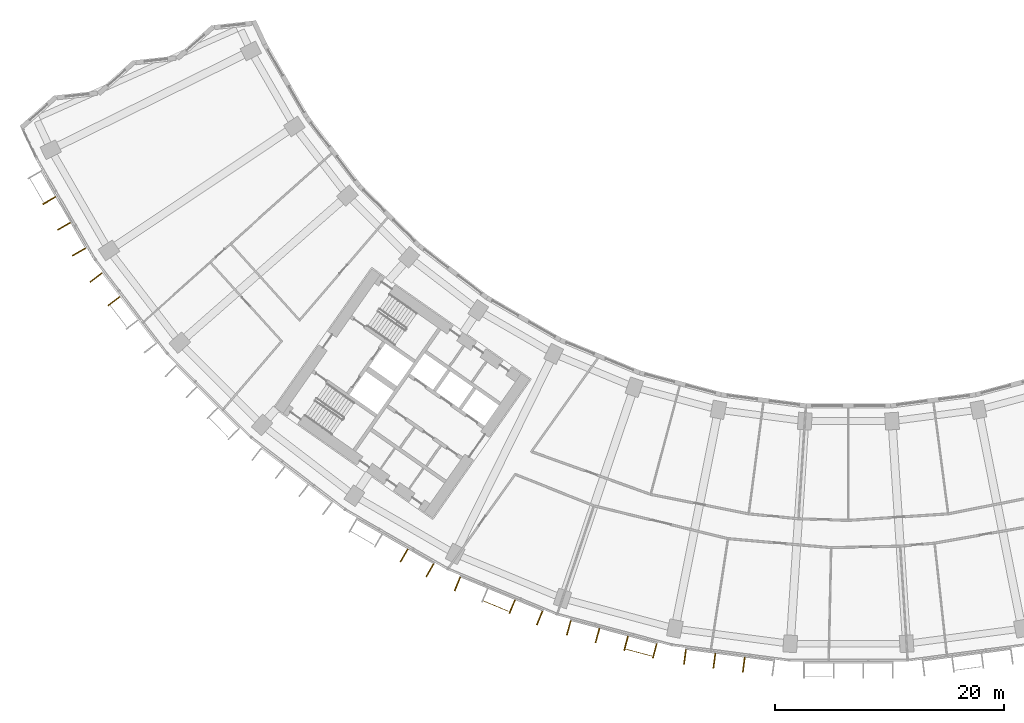
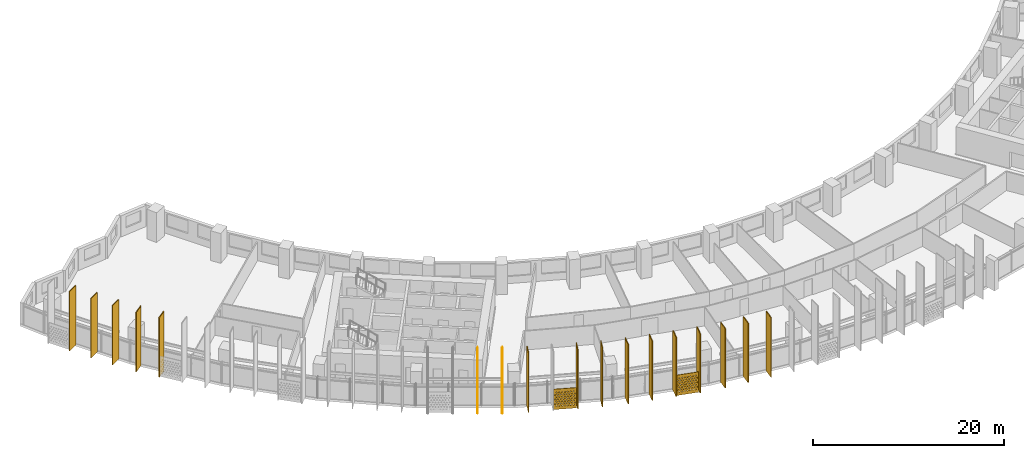
# One storey, part 26 of 30: 19 shading devices.
"""IFC4 building model written with IfcOpenShell, lengths in metres."""

from ifc_helpers import new_model, si_unit, direction, frame, origin, origin_2d, place, context, subcontext, project, spatial, polyline, rectangle, outline, extrude, material, material_profile, profile_set, type_object, element, save


model = new_model("IFC4")

# Units and contexts
model_context = context("Model", 3, precision=1e-05, world=origin(), true_north=direction((0.0, 1.0)))
body_context = subcontext(model_context, "Body", "Model", "MODEL_VIEW")
ifc_project = project(units=[si_unit("LENGTHUNIT", "METRE"), si_unit("AREAUNIT", "SQUARE_METRE"), si_unit("VOLUMEUNIT", "CUBIC_METRE"), si_unit("PLANEANGLEUNIT", "RADIAN"), si_unit("MASSUNIT", "GRAM", prefix="KILO")], contexts=[model_context])

# Site, building, storey
site_placement = place(None, origin())
site = spatial("IfcSite", under=ifc_project, at=site_placement, CompositionType="ELEMENT")
building_placement = place(site_placement, origin())
building = spatial("IfcBuilding", under=site, at=building_placement, Name="Qamariyya Broadcast Tower", CompositionType="ELEMENT")
storey_placement = place(building_placement, frame((0.0, 0.0, 125.300048828125)))
storey = spatial("IfcBuildingStorey", under=building, at=storey_placement, Name="L28", CompositionType="ELEMENT", Elevation=125.300048828125)

# Shading devices
ifc_material_1 = material(Name="Perforated glazed terracotta", Category="masonry")
ifc_material_profile_1 = material_profile(ifc_material_1, outline(polyline([(-1.199951171875, -1.300048828125), (1.199951171875, -1.300048828125), (1.199951171875, 1.300048828125), (-1.199951171875, 1.300048828125), (-1.199951171875, -1.300048828125)]), holes=[polyline([(-0.81494140625, -0.86669921875), (-0.89990234375, -0.78173828125), (-0.985107421875, -0.86669921875), (-0.89990234375, -0.95166015625), (-0.81494140625, -0.86669921875)]), polyline([(-0.514892578125, -0.86669921875), (-0.60009765625, -0.78173828125), (-0.68505859375, -0.86669921875), (-0.60009765625, -0.95166015625), (-0.514892578125, -0.86669921875)]), polyline([(-0.215087890625, -0.86669921875), (-0.300048828125, -0.78173828125), (-0.385009765625, -0.86669921875), (-0.300048828125, -0.95166015625), (-0.215087890625, -0.86669921875)]), polyline([(0.0849609375, -0.86669921875), (0.0, -0.78173828125), (-0.0849609375, -0.86669921875), (0.0, -0.95166015625), (0.0849609375, -0.86669921875)]), polyline([(0.385009765625, -0.86669921875), (0.300048828125, -0.78173828125), (0.215087890625, -0.86669921875), (0.300048828125, -0.95166015625), (0.385009765625, -0.86669921875)]), polyline([(0.68505859375, -0.86669921875), (0.60009765625, -0.78173828125), (0.514892578125, -0.86669921875), (0.60009765625, -0.95166015625), (0.68505859375, -0.86669921875)]), polyline([(0.985107421875, -0.86669921875), (0.89990234375, -0.78173828125), (0.81494140625, -0.86669921875), (0.89990234375, -0.95166015625), (0.985107421875, -0.86669921875)]), polyline([(-0.965087890625, -0.577880859375), (-1.050048828125, -0.49267578125), (-1.135009765625, -0.577880859375), (-1.050048828125, -0.662841796875), (-0.965087890625, -0.577880859375)]), polyline([(-0.6650390625, -0.577880859375), (-0.75, -0.49267578125), (-0.8349609375, -0.577880859375), (-0.75, -0.662841796875), (-0.6650390625, -0.577880859375)]), polyline([(-0.364990234375, -0.577880859375), (-0.449951171875, -0.49267578125), (-0.534912109375, -0.577880859375), (-0.449951171875, -0.662841796875), (-0.364990234375, -0.577880859375)]), polyline([(-0.06494140625, -0.577880859375), (-0.14990234375, -0.49267578125), (-0.235107421875, -0.577880859375), (-0.14990234375, -0.662841796875), (-0.06494140625, -0.577880859375)]), polyline([(0.235107421875, -0.577880859375), (0.14990234375, -0.49267578125), (0.06494140625, -0.577880859375), (0.14990234375, -0.662841796875), (0.235107421875, -0.577880859375)]), polyline([(0.534912109375, -0.577880859375), (0.449951171875, -0.49267578125), (0.364990234375, -0.577880859375), (0.449951171875, -0.662841796875), (0.534912109375, -0.577880859375)]), polyline([(0.8349609375, -0.577880859375), (0.75, -0.49267578125), (0.6650390625, -0.577880859375), (0.75, -0.662841796875), (0.8349609375, -0.577880859375)]), polyline([(1.135009765625, -0.577880859375), (1.050048828125, -0.49267578125), (0.965087890625, -0.577880859375), (1.050048828125, -0.662841796875), (1.135009765625, -0.577880859375)]), polyline([(-0.81494140625, -0.288818359375), (-0.89990234375, -0.203857421875), (-0.985107421875, -0.288818359375), (-0.89990234375, -0.373779296875), (-0.81494140625, -0.288818359375)]), polyline([(-0.514892578125, -0.288818359375), (-0.60009765625, -0.203857421875), (-0.68505859375, -0.288818359375), (-0.60009765625, -0.373779296875), (-0.514892578125, -0.288818359375)]), polyline([(-0.215087890625, -0.288818359375), (-0.300048828125, -0.203857421875), (-0.385009765625, -0.288818359375), (-0.300048828125, -0.373779296875), (-0.215087890625, -0.288818359375)]), polyline([(0.0849609375, -0.288818359375), (0.0, -0.203857421875), (-0.0849609375, -0.288818359375), (0.0, -0.373779296875), (0.0849609375, -0.288818359375)]), polyline([(0.385009765625, -0.288818359375), (0.300048828125, -0.203857421875), (0.215087890625, -0.288818359375), (0.300048828125, -0.373779296875), (0.385009765625, -0.288818359375)]), polyline([(0.68505859375, -0.288818359375), (0.60009765625, -0.203857421875), (0.514892578125, -0.288818359375), (0.60009765625, -0.373779296875), (0.68505859375, -0.288818359375)]), polyline([(0.985107421875, -0.288818359375), (0.89990234375, -0.203857421875), (0.81494140625, -0.288818359375), (0.89990234375, -0.373779296875), (0.985107421875, -0.288818359375)]), polyline([(-0.965087890625, 0.0), (-1.050048828125, 0.0849609375), (-1.135009765625, 0.0), (-1.050048828125, -0.0849609375), (-0.965087890625, 0.0)]), polyline([(-0.6650390625, 0.0), (-0.75, 0.0849609375), (-0.8349609375, 0.0), (-0.75, -0.0849609375), (-0.6650390625, 0.0)]), polyline([(-0.364990234375, 0.0), (-0.449951171875, 0.0849609375), (-0.534912109375, 0.0), (-0.449951171875, -0.0849609375), (-0.364990234375, 0.0)]), polyline([(-0.06494140625, 0.0), (-0.14990234375, 0.0849609375), (-0.235107421875, 0.0), (-0.14990234375, -0.0849609375), (-0.06494140625, 0.0)]), polyline([(0.235107421875, 0.0), (0.14990234375, 0.0849609375), (0.06494140625, 0.0), (0.14990234375, -0.0849609375), (0.235107421875, 0.0)]), polyline([(0.534912109375, 0.0), (0.449951171875, 0.0849609375), (0.364990234375, 0.0), (0.449951171875, -0.0849609375), (0.534912109375, 0.0)]), polyline([(0.8349609375, 0.0), (0.75, 0.0849609375), (0.6650390625, 0.0), (0.75, -0.0849609375), (0.8349609375, 0.0)]), polyline([(1.135009765625, 0.0), (1.050048828125, 0.0849609375), (0.965087890625, 0.0), (1.050048828125, -0.0849609375), (1.135009765625, 0.0)]), polyline([(-0.81494140625, 0.288818359375), (-0.89990234375, 0.373779296875), (-0.985107421875, 0.288818359375), (-0.89990234375, 0.203857421875), (-0.81494140625, 0.288818359375)]), polyline([(-0.514892578125, 0.288818359375), (-0.60009765625, 0.373779296875), (-0.68505859375, 0.288818359375), (-0.60009765625, 0.203857421875), (-0.514892578125, 0.288818359375)]), polyline([(-0.215087890625, 0.288818359375), (-0.300048828125, 0.373779296875), (-0.385009765625, 0.288818359375), (-0.300048828125, 0.203857421875), (-0.215087890625, 0.288818359375)]), polyline([(0.0849609375, 0.288818359375), (0.0, 0.373779296875), (-0.0849609375, 0.288818359375), (0.0, 0.203857421875), (0.0849609375, 0.288818359375)]), polyline([(0.385009765625, 0.288818359375), (0.300048828125, 0.373779296875), (0.215087890625, 0.288818359375), (0.300048828125, 0.203857421875), (0.385009765625, 0.288818359375)]), polyline([(0.68505859375, 0.288818359375), (0.60009765625, 0.373779296875), (0.514892578125, 0.288818359375), (0.60009765625, 0.203857421875), (0.68505859375, 0.288818359375)]), polyline([(0.985107421875, 0.288818359375), (0.89990234375, 0.373779296875), (0.81494140625, 0.288818359375), (0.89990234375, 0.203857421875), (0.985107421875, 0.288818359375)]), polyline([(-0.965087890625, 0.577880859375), (-1.050048828125, 0.662841796875), (-1.135009765625, 0.577880859375), (-1.050048828125, 0.49267578125), (-0.965087890625, 0.577880859375)]), polyline([(-0.6650390625, 0.577880859375), (-0.75, 0.662841796875), (-0.8349609375, 0.577880859375), (-0.75, 0.49267578125), (-0.6650390625, 0.577880859375)]), polyline([(-0.364990234375, 0.577880859375), (-0.449951171875, 0.662841796875), (-0.534912109375, 0.577880859375), (-0.449951171875, 0.49267578125), (-0.364990234375, 0.577880859375)]), polyline([(-0.06494140625, 0.577880859375), (-0.14990234375, 0.662841796875), (-0.235107421875, 0.577880859375), (-0.14990234375, 0.49267578125), (-0.06494140625, 0.577880859375)]), polyline([(0.235107421875, 0.577880859375), (0.14990234375, 0.662841796875), (0.06494140625, 0.577880859375), (0.14990234375, 0.49267578125), (0.235107421875, 0.577880859375)]), polyline([(0.534912109375, 0.577880859375), (0.449951171875, 0.662841796875), (0.364990234375, 0.577880859375), (0.449951171875, 0.49267578125), (0.534912109375, 0.577880859375)]), polyline([(0.8349609375, 0.577880859375), (0.75, 0.662841796875), (0.6650390625, 0.577880859375), (0.75, 0.49267578125), (0.8349609375, 0.577880859375)]), polyline([(1.135009765625, 0.577880859375), (1.050048828125, 0.662841796875), (0.965087890625, 0.577880859375), (1.050048828125, 0.49267578125), (1.135009765625, 0.577880859375)]), polyline([(-0.81494140625, 0.86669921875), (-0.89990234375, 0.95166015625), (-0.985107421875, 0.86669921875), (-0.89990234375, 0.78173828125), (-0.81494140625, 0.86669921875)]), polyline([(-0.514892578125, 0.86669921875), (-0.60009765625, 0.95166015625), (-0.68505859375, 0.86669921875), (-0.60009765625, 0.78173828125), (-0.514892578125, 0.86669921875)]), polyline([(-0.215087890625, 0.86669921875), (-0.300048828125, 0.95166015625), (-0.385009765625, 0.86669921875), (-0.300048828125, 0.78173828125), (-0.215087890625, 0.86669921875)]), polyline([(0.0849609375, 0.86669921875), (0.0, 0.95166015625), (-0.0849609375, 0.86669921875), (0.0, 0.78173828125), (0.0849609375, 0.86669921875)]), polyline([(0.385009765625, 0.86669921875), (0.300048828125, 0.95166015625), (0.215087890625, 0.86669921875), (0.300048828125, 0.78173828125), (0.385009765625, 0.86669921875)]), polyline([(0.68505859375, 0.86669921875), (0.60009765625, 0.95166015625), (0.514892578125, 0.86669921875), (0.60009765625, 0.78173828125), (0.68505859375, 0.86669921875)]), polyline([(0.985107421875, 0.86669921875), (0.89990234375, 0.95166015625), (0.81494140625, 0.86669921875), (0.89990234375, 0.78173828125), (0.985107421875, 0.86669921875)])]))
ifc_profile_set_1 = profile_set([ifc_material_profile_1], Name="Perforated glazed terracotta")
shading_device_type_1 = type_object("IfcShadingDeviceType", Name="Perforated terracotta screen 2400 x 2600", PredefinedType="USERDEFINED", material=ifc_profile_set_1)
shading_device_1_placement = place(storey_placement, frame((-30.810791015625, -74.26220703125, 1.349853515625), z_axis=(-0.382591441855, -0.923917630863, 0.0), x_axis=(0.923917630863, -0.382591441855, 0.0)))
element("IfcShadingDevice", 1, at=shading_device_1_placement, inside=storey, type_object=shading_device_type_1, Name="e-scr-L28-06-1", ObjectType="SCREEN", PredefinedType="USERDEFINED", context=body_context, shape_type="SweptSolid", body=[
    extrude(outline(polyline([(-1.199951171875, -1.300048828125), (1.199951171875, -1.300048828125), (1.199951171875, 1.300048828125), (-1.199951171875, 1.300048828125), (-1.199951171875, -1.300048828125)]), holes=[polyline([(-0.81494140625, -0.86669921875), (-0.89990234375, -0.78173828125), (-0.985107421875, -0.86669921875), (-0.89990234375, -0.95166015625), (-0.81494140625, -0.86669921875)]), polyline([(-0.514892578125, -0.86669921875), (-0.60009765625, -0.78173828125), (-0.68505859375, -0.86669921875), (-0.60009765625, -0.95166015625), (-0.514892578125, -0.86669921875)]), polyline([(-0.215087890625, -0.86669921875), (-0.300048828125, -0.78173828125), (-0.385009765625, -0.86669921875), (-0.300048828125, -0.95166015625), (-0.215087890625, -0.86669921875)]), polyline([(0.0849609375, -0.86669921875), (0.0, -0.78173828125), (-0.0849609375, -0.86669921875), (0.0, -0.95166015625), (0.0849609375, -0.86669921875)]), polyline([(0.385009765625, -0.86669921875), (0.300048828125, -0.78173828125), (0.215087890625, -0.86669921875), (0.300048828125, -0.95166015625), (0.385009765625, -0.86669921875)]), polyline([(0.68505859375, -0.86669921875), (0.60009765625, -0.78173828125), (0.514892578125, -0.86669921875), (0.60009765625, -0.95166015625), (0.68505859375, -0.86669921875)]), polyline([(0.985107421875, -0.86669921875), (0.89990234375, -0.78173828125), (0.81494140625, -0.86669921875), (0.89990234375, -0.95166015625), (0.985107421875, -0.86669921875)]), polyline([(-0.965087890625, -0.577880859375), (-1.050048828125, -0.49267578125), (-1.135009765625, -0.577880859375), (-1.050048828125, -0.662841796875), (-0.965087890625, -0.577880859375)]), polyline([(-0.6650390625, -0.577880859375), (-0.75, -0.49267578125), (-0.8349609375, -0.577880859375), (-0.75, -0.662841796875), (-0.6650390625, -0.577880859375)]), polyline([(-0.364990234375, -0.577880859375), (-0.449951171875, -0.49267578125), (-0.534912109375, -0.577880859375), (-0.449951171875, -0.662841796875), (-0.364990234375, -0.577880859375)]), polyline([(-0.06494140625, -0.577880859375), (-0.14990234375, -0.49267578125), (-0.235107421875, -0.577880859375), (-0.14990234375, -0.662841796875), (-0.06494140625, -0.577880859375)]), polyline([(0.235107421875, -0.577880859375), (0.14990234375, -0.49267578125), (0.06494140625, -0.577880859375), (0.14990234375, -0.662841796875), (0.235107421875, -0.577880859375)]), polyline([(0.534912109375, -0.577880859375), (0.449951171875, -0.49267578125), (0.364990234375, -0.577880859375), (0.449951171875, -0.662841796875), (0.534912109375, -0.577880859375)]), polyline([(0.8349609375, -0.577880859375), (0.75, -0.49267578125), (0.6650390625, -0.577880859375), (0.75, -0.662841796875), (0.8349609375, -0.577880859375)]), polyline([(1.135009765625, -0.577880859375), (1.050048828125, -0.49267578125), (0.965087890625, -0.577880859375), (1.050048828125, -0.662841796875), (1.135009765625, -0.577880859375)]), polyline([(-0.81494140625, -0.288818359375), (-0.89990234375, -0.203857421875), (-0.985107421875, -0.288818359375), (-0.89990234375, -0.373779296875), (-0.81494140625, -0.288818359375)]), polyline([(-0.514892578125, -0.288818359375), (-0.60009765625, -0.203857421875), (-0.68505859375, -0.288818359375), (-0.60009765625, -0.373779296875), (-0.514892578125, -0.288818359375)]), polyline([(-0.215087890625, -0.288818359375), (-0.300048828125, -0.203857421875), (-0.385009765625, -0.288818359375), (-0.300048828125, -0.373779296875), (-0.215087890625, -0.288818359375)]), polyline([(0.0849609375, -0.288818359375), (0.0, -0.203857421875), (-0.0849609375, -0.288818359375), (0.0, -0.373779296875), (0.0849609375, -0.288818359375)]), polyline([(0.385009765625, -0.288818359375), (0.300048828125, -0.203857421875), (0.215087890625, -0.288818359375), (0.300048828125, -0.373779296875), (0.385009765625, -0.288818359375)]), polyline([(0.68505859375, -0.288818359375), (0.60009765625, -0.203857421875), (0.514892578125, -0.288818359375), (0.60009765625, -0.373779296875), (0.68505859375, -0.288818359375)]), polyline([(0.985107421875, -0.288818359375), (0.89990234375, -0.203857421875), (0.81494140625, -0.288818359375), (0.89990234375, -0.373779296875), (0.985107421875, -0.288818359375)]), polyline([(-0.965087890625, 0.0), (-1.050048828125, 0.0849609375), (-1.135009765625, 0.0), (-1.050048828125, -0.0849609375), (-0.965087890625, 0.0)]), polyline([(-0.6650390625, 0.0), (-0.75, 0.0849609375), (-0.8349609375, 0.0), (-0.75, -0.0849609375), (-0.6650390625, 0.0)]), polyline([(-0.364990234375, 0.0), (-0.449951171875, 0.0849609375), (-0.534912109375, 0.0), (-0.449951171875, -0.0849609375), (-0.364990234375, 0.0)]), polyline([(-0.06494140625, 0.0), (-0.14990234375, 0.0849609375), (-0.235107421875, 0.0), (-0.14990234375, -0.0849609375), (-0.06494140625, 0.0)]), polyline([(0.235107421875, 0.0), (0.14990234375, 0.0849609375), (0.06494140625, 0.0), (0.14990234375, -0.0849609375), (0.235107421875, 0.0)]), polyline([(0.534912109375, 0.0), (0.449951171875, 0.0849609375), (0.364990234375, 0.0), (0.449951171875, -0.0849609375), (0.534912109375, 0.0)]), polyline([(0.8349609375, 0.0), (0.75, 0.0849609375), (0.6650390625, 0.0), (0.75, -0.0849609375), (0.8349609375, 0.0)]), polyline([(1.135009765625, 0.0), (1.050048828125, 0.0849609375), (0.965087890625, 0.0), (1.050048828125, -0.0849609375), (1.135009765625, 0.0)]), polyline([(-0.81494140625, 0.288818359375), (-0.89990234375, 0.373779296875), (-0.985107421875, 0.288818359375), (-0.89990234375, 0.203857421875), (-0.81494140625, 0.288818359375)]), polyline([(-0.514892578125, 0.288818359375), (-0.60009765625, 0.373779296875), (-0.68505859375, 0.288818359375), (-0.60009765625, 0.203857421875), (-0.514892578125, 0.288818359375)]), polyline([(-0.215087890625, 0.288818359375), (-0.300048828125, 0.373779296875), (-0.385009765625, 0.288818359375), (-0.300048828125, 0.203857421875), (-0.215087890625, 0.288818359375)]), polyline([(0.0849609375, 0.288818359375), (0.0, 0.373779296875), (-0.0849609375, 0.288818359375), (0.0, 0.203857421875), (0.0849609375, 0.288818359375)]), polyline([(0.385009765625, 0.288818359375), (0.300048828125, 0.373779296875), (0.215087890625, 0.288818359375), (0.300048828125, 0.203857421875), (0.385009765625, 0.288818359375)]), polyline([(0.68505859375, 0.288818359375), (0.60009765625, 0.373779296875), (0.514892578125, 0.288818359375), (0.60009765625, 0.203857421875), (0.68505859375, 0.288818359375)]), polyline([(0.985107421875, 0.288818359375), (0.89990234375, 0.373779296875), (0.81494140625, 0.288818359375), (0.89990234375, 0.203857421875), (0.985107421875, 0.288818359375)]), polyline([(-0.965087890625, 0.577880859375), (-1.050048828125, 0.662841796875), (-1.135009765625, 0.577880859375), (-1.050048828125, 0.49267578125), (-0.965087890625, 0.577880859375)]), polyline([(-0.6650390625, 0.577880859375), (-0.75, 0.662841796875), (-0.8349609375, 0.577880859375), (-0.75, 0.49267578125), (-0.6650390625, 0.577880859375)]), polyline([(-0.364990234375, 0.577880859375), (-0.449951171875, 0.662841796875), (-0.534912109375, 0.577880859375), (-0.449951171875, 0.49267578125), (-0.364990234375, 0.577880859375)]), polyline([(-0.06494140625, 0.577880859375), (-0.14990234375, 0.662841796875), (-0.235107421875, 0.577880859375), (-0.14990234375, 0.49267578125), (-0.06494140625, 0.577880859375)]), polyline([(0.235107421875, 0.577880859375), (0.14990234375, 0.662841796875), (0.06494140625, 0.577880859375), (0.14990234375, 0.49267578125), (0.235107421875, 0.577880859375)]), polyline([(0.534912109375, 0.577880859375), (0.449951171875, 0.662841796875), (0.364990234375, 0.577880859375), (0.449951171875, 0.49267578125), (0.534912109375, 0.577880859375)]), polyline([(0.8349609375, 0.577880859375), (0.75, 0.662841796875), (0.6650390625, 0.577880859375), (0.75, 0.49267578125), (0.8349609375, 0.577880859375)]), polyline([(1.135009765625, 0.577880859375), (1.050048828125, 0.662841796875), (0.965087890625, 0.577880859375), (1.050048828125, 0.49267578125), (1.135009765625, 0.577880859375)]), polyline([(-0.81494140625, 0.86669921875), (-0.89990234375, 0.95166015625), (-0.985107421875, 0.86669921875), (-0.89990234375, 0.78173828125), (-0.81494140625, 0.86669921875)]), polyline([(-0.514892578125, 0.86669921875), (-0.60009765625, 0.95166015625), (-0.68505859375, 0.86669921875), (-0.60009765625, 0.78173828125), (-0.514892578125, 0.86669921875)]), polyline([(-0.215087890625, 0.86669921875), (-0.300048828125, 0.95166015625), (-0.385009765625, 0.86669921875), (-0.300048828125, 0.78173828125), (-0.215087890625, 0.86669921875)]), polyline([(0.0849609375, 0.86669921875), (0.0, 0.95166015625), (-0.0849609375, 0.86669921875), (0.0, 0.78173828125), (0.0849609375, 0.86669921875)]), polyline([(0.385009765625, 0.86669921875), (0.300048828125, 0.95166015625), (0.215087890625, 0.86669921875), (0.300048828125, 0.78173828125), (0.385009765625, 0.86669921875)]), polyline([(0.68505859375, 0.86669921875), (0.60009765625, 0.95166015625), (0.514892578125, 0.86669921875), (0.60009765625, 0.78173828125), (0.68505859375, 0.86669921875)]), polyline([(0.985107421875, 0.86669921875), (0.89990234375, 0.95166015625), (0.81494140625, 0.86669921875), (0.89990234375, 0.78173828125), (0.985107421875, 0.86669921875)])]), origin(), (0.0, 0.0, 1.0), 0.06005859375),
])
shading_device_2_placement = place(storey_placement, frame((-18.349365234375, -78.31982421875, 1.349853515625), z_axis=(-0.256901156343, -0.966437683387, 0.0), x_axis=(0.966437683387, -0.256901156343, 0.0)))
element("IfcShadingDevice", 2, at=shading_device_2_placement, inside=storey, type_object=shading_device_type_1, Name="e-scr-L28-07-2", ObjectType="SCREEN", PredefinedType="USERDEFINED", context=body_context, shape_type="SweptSolid", body=[
    extrude(outline(polyline([(-1.199951171875, -1.300048828125), (1.199951171875, -1.300048828125), (1.199951171875, 1.300048828125), (-1.199951171875, 1.300048828125), (-1.199951171875, -1.300048828125)]), holes=[polyline([(-0.81494140625, -0.86669921875), (-0.89990234375, -0.78173828125), (-0.985107421875, -0.86669921875), (-0.89990234375, -0.95166015625), (-0.81494140625, -0.86669921875)]), polyline([(-0.514892578125, -0.86669921875), (-0.60009765625, -0.78173828125), (-0.68505859375, -0.86669921875), (-0.60009765625, -0.95166015625), (-0.514892578125, -0.86669921875)]), polyline([(-0.215087890625, -0.86669921875), (-0.300048828125, -0.78173828125), (-0.385009765625, -0.86669921875), (-0.300048828125, -0.95166015625), (-0.215087890625, -0.86669921875)]), polyline([(0.0849609375, -0.86669921875), (0.0, -0.78173828125), (-0.0849609375, -0.86669921875), (0.0, -0.95166015625), (0.0849609375, -0.86669921875)]), polyline([(0.385009765625, -0.86669921875), (0.300048828125, -0.78173828125), (0.215087890625, -0.86669921875), (0.300048828125, -0.95166015625), (0.385009765625, -0.86669921875)]), polyline([(0.68505859375, -0.86669921875), (0.60009765625, -0.78173828125), (0.514892578125, -0.86669921875), (0.60009765625, -0.95166015625), (0.68505859375, -0.86669921875)]), polyline([(0.985107421875, -0.86669921875), (0.89990234375, -0.78173828125), (0.81494140625, -0.86669921875), (0.89990234375, -0.95166015625), (0.985107421875, -0.86669921875)]), polyline([(-0.965087890625, -0.577880859375), (-1.050048828125, -0.49267578125), (-1.135009765625, -0.577880859375), (-1.050048828125, -0.662841796875), (-0.965087890625, -0.577880859375)]), polyline([(-0.6650390625, -0.577880859375), (-0.75, -0.49267578125), (-0.8349609375, -0.577880859375), (-0.75, -0.662841796875), (-0.6650390625, -0.577880859375)]), polyline([(-0.364990234375, -0.577880859375), (-0.449951171875, -0.49267578125), (-0.534912109375, -0.577880859375), (-0.449951171875, -0.662841796875), (-0.364990234375, -0.577880859375)]), polyline([(-0.06494140625, -0.577880859375), (-0.14990234375, -0.49267578125), (-0.235107421875, -0.577880859375), (-0.14990234375, -0.662841796875), (-0.06494140625, -0.577880859375)]), polyline([(0.235107421875, -0.577880859375), (0.14990234375, -0.49267578125), (0.06494140625, -0.577880859375), (0.14990234375, -0.662841796875), (0.235107421875, -0.577880859375)]), polyline([(0.534912109375, -0.577880859375), (0.449951171875, -0.49267578125), (0.364990234375, -0.577880859375), (0.449951171875, -0.662841796875), (0.534912109375, -0.577880859375)]), polyline([(0.8349609375, -0.577880859375), (0.75, -0.49267578125), (0.6650390625, -0.577880859375), (0.75, -0.662841796875), (0.8349609375, -0.577880859375)]), polyline([(1.135009765625, -0.577880859375), (1.050048828125, -0.49267578125), (0.965087890625, -0.577880859375), (1.050048828125, -0.662841796875), (1.135009765625, -0.577880859375)]), polyline([(-0.81494140625, -0.288818359375), (-0.89990234375, -0.203857421875), (-0.985107421875, -0.288818359375), (-0.89990234375, -0.373779296875), (-0.81494140625, -0.288818359375)]), polyline([(-0.514892578125, -0.288818359375), (-0.60009765625, -0.203857421875), (-0.68505859375, -0.288818359375), (-0.60009765625, -0.373779296875), (-0.514892578125, -0.288818359375)]), polyline([(-0.215087890625, -0.288818359375), (-0.300048828125, -0.203857421875), (-0.385009765625, -0.288818359375), (-0.300048828125, -0.373779296875), (-0.215087890625, -0.288818359375)]), polyline([(0.0849609375, -0.288818359375), (0.0, -0.203857421875), (-0.0849609375, -0.288818359375), (0.0, -0.373779296875), (0.0849609375, -0.288818359375)]), polyline([(0.385009765625, -0.288818359375), (0.300048828125, -0.203857421875), (0.215087890625, -0.288818359375), (0.300048828125, -0.373779296875), (0.385009765625, -0.288818359375)]), polyline([(0.68505859375, -0.288818359375), (0.60009765625, -0.203857421875), (0.514892578125, -0.288818359375), (0.60009765625, -0.373779296875), (0.68505859375, -0.288818359375)]), polyline([(0.985107421875, -0.288818359375), (0.89990234375, -0.203857421875), (0.81494140625, -0.288818359375), (0.89990234375, -0.373779296875), (0.985107421875, -0.288818359375)]), polyline([(-0.965087890625, 0.0), (-1.050048828125, 0.0849609375), (-1.135009765625, 0.0), (-1.050048828125, -0.0849609375), (-0.965087890625, 0.0)]), polyline([(-0.6650390625, 0.0), (-0.75, 0.0849609375), (-0.8349609375, 0.0), (-0.75, -0.0849609375), (-0.6650390625, 0.0)]), polyline([(-0.364990234375, 0.0), (-0.449951171875, 0.0849609375), (-0.534912109375, 0.0), (-0.449951171875, -0.0849609375), (-0.364990234375, 0.0)]), polyline([(-0.06494140625, 0.0), (-0.14990234375, 0.0849609375), (-0.235107421875, 0.0), (-0.14990234375, -0.0849609375), (-0.06494140625, 0.0)]), polyline([(0.235107421875, 0.0), (0.14990234375, 0.0849609375), (0.06494140625, 0.0), (0.14990234375, -0.0849609375), (0.235107421875, 0.0)]), polyline([(0.534912109375, 0.0), (0.449951171875, 0.0849609375), (0.364990234375, 0.0), (0.449951171875, -0.0849609375), (0.534912109375, 0.0)]), polyline([(0.8349609375, 0.0), (0.75, 0.0849609375), (0.6650390625, 0.0), (0.75, -0.0849609375), (0.8349609375, 0.0)]), polyline([(1.135009765625, 0.0), (1.050048828125, 0.0849609375), (0.965087890625, 0.0), (1.050048828125, -0.0849609375), (1.135009765625, 0.0)]), polyline([(-0.81494140625, 0.288818359375), (-0.89990234375, 0.373779296875), (-0.985107421875, 0.288818359375), (-0.89990234375, 0.203857421875), (-0.81494140625, 0.288818359375)]), polyline([(-0.514892578125, 0.288818359375), (-0.60009765625, 0.373779296875), (-0.68505859375, 0.288818359375), (-0.60009765625, 0.203857421875), (-0.514892578125, 0.288818359375)]), polyline([(-0.215087890625, 0.288818359375), (-0.300048828125, 0.373779296875), (-0.385009765625, 0.288818359375), (-0.300048828125, 0.203857421875), (-0.215087890625, 0.288818359375)]), polyline([(0.0849609375, 0.288818359375), (0.0, 0.373779296875), (-0.0849609375, 0.288818359375), (0.0, 0.203857421875), (0.0849609375, 0.288818359375)]), polyline([(0.385009765625, 0.288818359375), (0.300048828125, 0.373779296875), (0.215087890625, 0.288818359375), (0.300048828125, 0.203857421875), (0.385009765625, 0.288818359375)]), polyline([(0.68505859375, 0.288818359375), (0.60009765625, 0.373779296875), (0.514892578125, 0.288818359375), (0.60009765625, 0.203857421875), (0.68505859375, 0.288818359375)]), polyline([(0.985107421875, 0.288818359375), (0.89990234375, 0.373779296875), (0.81494140625, 0.288818359375), (0.89990234375, 0.203857421875), (0.985107421875, 0.288818359375)]), polyline([(-0.965087890625, 0.577880859375), (-1.050048828125, 0.662841796875), (-1.135009765625, 0.577880859375), (-1.050048828125, 0.49267578125), (-0.965087890625, 0.577880859375)]), polyline([(-0.6650390625, 0.577880859375), (-0.75, 0.662841796875), (-0.8349609375, 0.577880859375), (-0.75, 0.49267578125), (-0.6650390625, 0.577880859375)]), polyline([(-0.364990234375, 0.577880859375), (-0.449951171875, 0.662841796875), (-0.534912109375, 0.577880859375), (-0.449951171875, 0.49267578125), (-0.364990234375, 0.577880859375)]), polyline([(-0.06494140625, 0.577880859375), (-0.14990234375, 0.662841796875), (-0.235107421875, 0.577880859375), (-0.14990234375, 0.49267578125), (-0.06494140625, 0.577880859375)]), polyline([(0.235107421875, 0.577880859375), (0.14990234375, 0.662841796875), (0.06494140625, 0.577880859375), (0.14990234375, 0.49267578125), (0.235107421875, 0.577880859375)]), polyline([(0.534912109375, 0.577880859375), (0.449951171875, 0.662841796875), (0.364990234375, 0.577880859375), (0.449951171875, 0.49267578125), (0.534912109375, 0.577880859375)]), polyline([(0.8349609375, 0.577880859375), (0.75, 0.662841796875), (0.6650390625, 0.577880859375), (0.75, 0.49267578125), (0.8349609375, 0.577880859375)]), polyline([(1.135009765625, 0.577880859375), (1.050048828125, 0.662841796875), (0.965087890625, 0.577880859375), (1.050048828125, 0.49267578125), (1.135009765625, 0.577880859375)]), polyline([(-0.81494140625, 0.86669921875), (-0.89990234375, 0.95166015625), (-0.985107421875, 0.86669921875), (-0.89990234375, 0.78173828125), (-0.81494140625, 0.86669921875)]), polyline([(-0.514892578125, 0.86669921875), (-0.60009765625, 0.95166015625), (-0.68505859375, 0.86669921875), (-0.60009765625, 0.78173828125), (-0.514892578125, 0.86669921875)]), polyline([(-0.215087890625, 0.86669921875), (-0.300048828125, 0.95166015625), (-0.385009765625, 0.86669921875), (-0.300048828125, 0.78173828125), (-0.215087890625, 0.86669921875)]), polyline([(0.0849609375, 0.86669921875), (0.0, 0.95166015625), (-0.0849609375, 0.86669921875), (0.0, 0.78173828125), (0.0849609375, 0.86669921875)]), polyline([(0.385009765625, 0.86669921875), (0.300048828125, 0.95166015625), (0.215087890625, 0.86669921875), (0.300048828125, 0.78173828125), (0.385009765625, 0.86669921875)]), polyline([(0.68505859375, 0.86669921875), (0.60009765625, 0.95166015625), (0.514892578125, 0.86669921875), (0.60009765625, 0.78173828125), (0.68505859375, 0.86669921875)]), polyline([(0.985107421875, 0.86669921875), (0.89990234375, 0.95166015625), (0.81494140625, 0.86669921875), (0.89990234375, 0.78173828125), (0.985107421875, 0.86669921875)])]), origin(), (0.0, 0.0, 1.0), 0.059814453125),
])
ifc_material_2 = material(Name="Glazed terracotta", Category="masonry")
ifc_material_profile_2 = material_profile(ifc_material_2, rectangle(XDim=1.300048828125, YDim=0.10009765625, at=origin_2d()))
ifc_profile_set_2 = profile_set([ifc_material_profile_2], Name="Glazed terracotta")
shading_device_type_2 = type_object("IfcShadingDeviceType", Name="Terracotta fin 100 x 1300", PredefinedType="USERDEFINED", material=ifc_profile_set_2)
for number, where, z_axis, x_axis, name in (
    (3, (-69.869873046875, -38.84228515625, 0.0), (0.0, 0.0, 1.0), (-0.866025403784, -0.5, 0.0), "e-fin-L28-01-1"),
    (4, (-68.5732421875, -41.087890625, 0.0), (0.0, 0.0, 1.0), (-0.866025403784, -0.5, 0.0), "e-fin-L28-01-2"),
    (5, (-67.276611328125, -43.333740234375, 0.0), (0.0, 0.0, 1.0), (-0.866025403784, -0.5, 0.0), "e-fin-L28-01-3"),
    (6, (-65.781005859375, -45.572509765625, 0.0), (0.0, 0.0, 1.0), (-0.793353340291, -0.608761429009, 0.0), "e-fin-L28-02-0"),
    (7, (-64.2021484375, -47.629638671875, 0.0), (0.0, 0.0, 1.0), (-0.793353340291, -0.608761429009, 0.0), "e-fin-L28-02-1"),
    (8, (-38.84228515625, -69.869873046875, 0.0), (0.0, 0.0, 1.0), (-0.5, -0.866025403784, 0.0), "e-fin-L28-05-2"),
    (9, (-36.596435546875, -71.16650390625, 0.0), (0.0, 0.0, 1.0), (-0.5, -0.866025403784, 0.0), "e-fin-L28-05-3"),
    (10, (-34.181640625, -72.357421875, 0.0), (0.0, 0.0, 1.0), (-0.382683432365, -0.923879532511, 0.0), "e-fin-L28-06-0"),
    (11, (-29.39013671875, -74.342041015625, 0.0), (0.0, 0.0, 1.0), (-0.382683432365, -0.923879532511, 0.0), "e-fin-L28-06-2"),
    (12, (-26.994140625, -75.33447265625, 0.0), (0.0, 0.0, 1.0), (-0.382683432365, -0.923879532511, 0.0), "e-fin-L28-06-3"),
    (13, (-24.44482421875, -76.199951171875, 0.0), (0.0, 0.0, 1.0), (-0.258819045103, -0.965925826289, 0.0), "e-fin-L28-07-0"),
    (14, (-21.93994140625, -76.87109375, 0.0), (0.0, 0.0, 1.0), (-0.258819045103, -0.965925826289, 0.0), "e-fin-L28-07-1"),
    (15, (-19.43505859375, -77.542236328125, 0.0), (0.0, 0.0, 1.0), (-0.258819045103, -0.965925826289, 0.0), "e-fin-L28-07-2"),
    (16, (-16.93017578125, -78.21337890625, 0.0), (0.0, 0.0, 1.0), (-0.258819045103, -0.965925826289, 0.0), "e-fin-L28-07-3"),
    (17, (-14.28955078125, -78.73876953125, 0.0), (0.0, 0.0, 1.0), (-0.13052619222, -0.991444861374, 0.0), "e-fin-L28-08-0"),
    (18, (-11.718505859375, -79.0771484375, 0.0), (0.0, 0.0, 1.0), (-0.13052619222, -0.991444861374, 0.0), "e-fin-L28-08-1"),
    (19, (-9.1474609375, -79.41552734375, 0.0), (0.0, 0.0, 1.0), (-0.13052619222, -0.991444861374, 0.0), "e-fin-L28-08-2"),
):
    element("IfcShadingDevice", number, at=place(storey_placement, frame(where, z_axis=z_axis, x_axis=x_axis)), inside=storey, type_object=shading_device_type_2, Name=name, ObjectType="FIN", PredefinedType="USERDEFINED", context=body_context, shape_type="SweptSolid", body=[
        extrude(rectangle(XDim=1.300048828125, YDim=0.10009765625, at=origin_2d()), origin(), (0.0, 0.0, 1.0), 7.599853515625),
    ])

save(model, "model.ifc")
